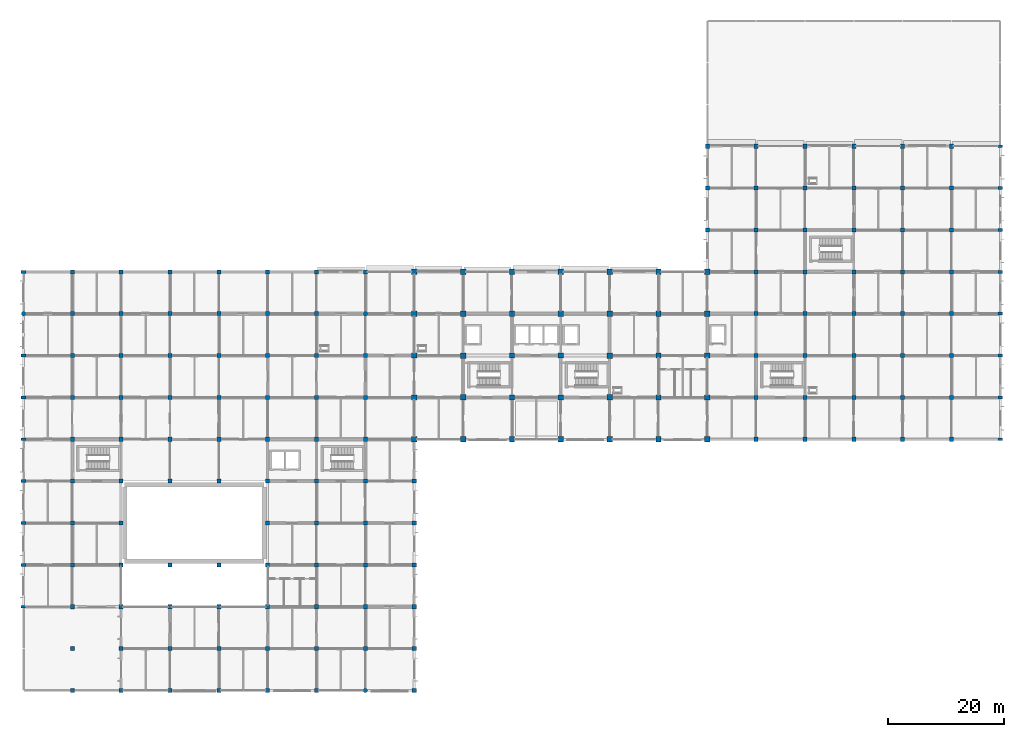
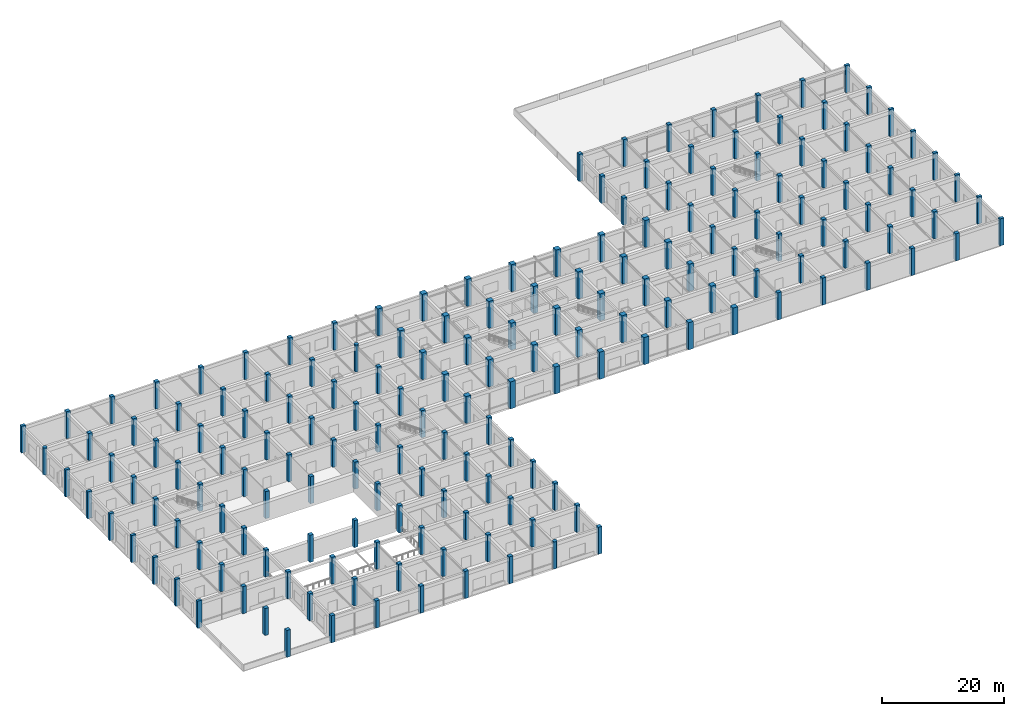
# One storey, part 1 of 41: 176 columns.
"""IFC4 building model written with IfcOpenShell, lengths in metres."""

from ifc_helpers import new_model, si_unit, derived_unit, direction, frame, origin, origin_2d, place, context, subcontext, project, spatial, rectangle, circle, extrude, material, material_profile, profile_set, type_object, element, save


model = new_model("IFC4")

# Units and contexts
model_context = context("Model", 3, precision=1e-05, world=origin(), true_north=direction((0.0, 1.0)))
body_context = subcontext(model_context, "Body", "Model", "MODEL_VIEW")
ifc_project = project(units=[si_unit("LENGTHUNIT", "METRE"), si_unit("AREAUNIT", "SQUARE_METRE"), si_unit("VOLUMEUNIT", "CUBIC_METRE"), si_unit("PLANEANGLEUNIT", "RADIAN"), si_unit("MASSUNIT", "GRAM", prefix="KILO"), derived_unit("THERMALTRANSMITTANCEUNIT", [(si_unit("MASSUNIT", "GRAM", prefix="KILO"), 1), (si_unit("TIMEUNIT", "SECOND"), -3), (si_unit("THERMODYNAMICTEMPERATUREUNIT", "KELVIN"), -1)])], contexts=[model_context])

# Site, building, storey
site_placement = place(None, origin())
site = spatial("IfcSite", under=ifc_project, at=site_placement, CompositionType="ELEMENT")
building_placement = place(site_placement, origin())
building = spatial("IfcBuilding", under=site, at=building_placement, Name="Veldstrom Oceanarium and Marine Research Institute", CompositionType="ELEMENT")
storey_placement = place(building_placement, frame((0.0, 0.0, 6.0)))
storey = spatial("IfcBuildingStorey", under=building, at=storey_placement, Name="L01", CompositionType="ELEMENT", Elevation=6.0)

# Columns
ifc_material_1 = material(Name="Concrete C50/60", Category="concrete")
ifc_material_profile_1 = material_profile(ifc_material_1, rectangle(XDim=0.949951171875, YDim=0.949951171875, at=origin_2d()), Name="RC-COL-950x950")
ifc_profile_set_1 = profile_set([ifc_material_profile_1], Name="Concrete C50/60")
column_type_1 = type_object("IfcColumnType", Name="STR-COL-C01", PredefinedType="COLUMN", material=ifc_profile_set_1)
for number, where, z_axis, x_axis, name in (
    (1, (75.60009765625, 43.199951171875, 0.0), (0.0, 0.0, 1.0), (1.0, 0.0, 0.0), "Column C01 10/G L01"),
    (2, (75.60009765625, 50.39990234375, 0.0), (0.0, 0.0, 1.0), (1.0, 0.0, 0.0), "Column C01 10/H L01"),
    (3, (75.60009765625, 57.60009765625, 0.0), (0.0, 0.0, 1.0), (1.0, 0.0, 0.0), "Column C01 10/J L01"),
    (4, (75.60009765625, 64.800048828125, 0.0), (0.0, 0.0, 1.0), (1.0, 0.0, 0.0), "Column C01 10/K L01"),
    (5, (75.60009765625, 72.0, 0.0), (0.0, 0.0, 1.0), (1.0, 0.0, 0.0), "Column C01 10/L L01"),
    (6, (100.800048828125, 43.199951171875, 0.0), (0.0, 0.0, 1.0), (1.0, 0.0, 0.0), "Column C01 13/G L01"),
    (7, (100.800048828125, 50.39990234375, 0.0), (0.0, 0.0, 1.0), (1.0, 0.0, 0.0), "Column C01 13/H L01"),
    (8, (100.800048828125, 57.60009765625, 0.0), (0.0, 0.0, 1.0), (1.0, 0.0, 0.0), "Column C01 13/J L01"),
    (9, (100.800048828125, 64.800048828125, 0.0), (0.0, 0.0, 1.0), (1.0, 0.0, 0.0), "Column C01 13/K L01"),
    (10, (100.800048828125, 72.0, 0.0), (0.0, 0.0, 1.0), (1.0, 0.0, 0.0), "Column C01 13/L L01"),
):
    element("IfcColumn", number, at=place(storey_placement, frame(where, z_axis=z_axis, x_axis=x_axis)), inside=storey, type_object=column_type_1, Name=name, PredefinedType="COLUMN", context=body_context, shape_type="SweptSolid", body=[
        extrude(rectangle(XDim=0.949951171875, YDim=0.949951171875, at=origin_2d()), origin(), (0.0, 0.0, 1.0), 5.39990234375),
    ])
ifc_material_2 = material(Name="Concrete C50/60", Category="concrete")
ifc_material_profile_2 = material_profile(ifc_material_2, rectangle(XDim=0.89990234375, YDim=0.89990234375, at=origin_2d()), Name="RC-COL-900x900")
ifc_profile_set_2 = profile_set([ifc_material_profile_2], Name="Concrete C50/60")
column_type_2 = type_object("IfcColumnType", Name="STR-COL-C02", PredefinedType="COLUMN", material=ifc_profile_set_2)
for number, where, z_axis, x_axis, name in (
    (11, (67.199951171875, 43.199951171875, 0.0), (0.0, 0.0, 1.0), (1.0, 0.0, 0.0), "Column C02 9/G L01"),
    (12, (67.199951171875, 50.39990234375, 0.0), (0.0, 0.0, 1.0), (1.0, 0.0, 0.0), "Column C02 9/H L01"),
    (13, (67.199951171875, 57.60009765625, 0.0), (0.0, 0.0, 1.0), (1.0, 0.0, 0.0), "Column C02 9/J L01"),
    (14, (67.199951171875, 64.800048828125, 0.0), (0.0, 0.0, 1.0), (1.0, 0.0, 0.0), "Column C02 9/K L01"),
    (15, (67.199951171875, 72.0, 0.0), (0.0, 0.0, 1.0), (1.0, 0.0, 0.0), "Column C02 9/L L01"),
    (16, (84.0, 43.199951171875, 0.0), (0.0, 0.0, 1.0), (1.0, 0.0, 0.0), "Column C02 11/G L01"),
    (17, (84.0, 50.39990234375, 0.0), (0.0, 0.0, 1.0), (1.0, 0.0, 0.0), "Column C02 11/H L01"),
    (18, (84.0, 57.60009765625, 0.0), (0.0, 0.0, 1.0), (1.0, 0.0, 0.0), "Column C02 11/J L01"),
    (19, (84.0, 64.800048828125, 0.0), (0.0, 0.0, 1.0), (1.0, 0.0, 0.0), "Column C02 11/K L01"),
    (20, (84.0, 72.0, 0.0), (0.0, 0.0, 1.0), (1.0, 0.0, 0.0), "Column C02 11/L L01"),
    (21, (92.39990234375, 43.199951171875, 0.0), (0.0, 0.0, 1.0), (1.0, 0.0, 0.0), "Column C02 12/G L01"),
    (22, (92.39990234375, 50.39990234375, 0.0), (0.0, 0.0, 1.0), (1.0, 0.0, 0.0), "Column C02 12/H L01"),
    (23, (92.39990234375, 57.60009765625, 0.0), (0.0, 0.0, 1.0), (1.0, 0.0, 0.0), "Column C02 12/J L01"),
    (24, (92.39990234375, 64.800048828125, 0.0), (0.0, 0.0, 1.0), (1.0, 0.0, 0.0), "Column C02 12/K L01"),
    (25, (92.39990234375, 72.0, 0.0), (0.0, 0.0, 1.0), (1.0, 0.0, 0.0), "Column C02 12/L L01"),
    (26, (109.199951171875, 43.199951171875, 0.0), (0.0, 0.0, 1.0), (1.0, 0.0, 0.0), "Column C02 14/G L01"),
    (27, (109.199951171875, 50.39990234375, 0.0), (0.0, 0.0, 1.0), (1.0, 0.0, 0.0), "Column C02 14/H L01"),
    (28, (109.199951171875, 57.60009765625, 0.0), (0.0, 0.0, 1.0), (1.0, 0.0, 0.0), "Column C02 14/J L01"),
    (29, (109.199951171875, 64.800048828125, 0.0), (0.0, 0.0, 1.0), (1.0, 0.0, 0.0), "Column C02 14/K L01"),
    (30, (109.199951171875, 72.0, 0.0), (0.0, 0.0, 1.0), (1.0, 0.0, 0.0), "Column C02 14/L L01"),
    (31, (117.60009765625, 43.199951171875, 0.0), (0.0, 0.0, 1.0), (1.0, 0.0, 0.0), "Column C02 15/G L01"),
    (32, (117.60009765625, 50.39990234375, 0.0), (0.0, 0.0, 1.0), (1.0, 0.0, 0.0), "Column C02 15/H L01"),
    (33, (117.60009765625, 57.60009765625, 0.0), (0.0, 0.0, 1.0), (1.0, 0.0, 0.0), "Column C02 15/J L01"),
    (34, (117.60009765625, 64.800048828125, 0.0), (0.0, 0.0, 1.0), (1.0, 0.0, 0.0), "Column C02 15/K L01"),
    (35, (117.60009765625, 72.0, 0.0), (0.0, 0.0, 1.0), (1.0, 0.0, 0.0), "Column C02 15/L L01"),
):
    element("IfcColumn", number, at=place(storey_placement, frame(where, z_axis=z_axis, x_axis=x_axis)), inside=storey, type_object=column_type_2, Name=name, PredefinedType="COLUMN", context=body_context, shape_type="SweptSolid", body=[
        extrude(rectangle(XDim=0.89990234375, YDim=0.89990234375, at=origin_2d()), origin(), (0.0, 0.0, 1.0), 5.39990234375),
    ])
ifc_material_3 = material(Name="Concrete C50/60", Category="concrete")
ifc_material_profile_3 = material_profile(ifc_material_3, rectangle(XDim=0.699951171875, YDim=0.699951171875, at=origin_2d()), Name="RC-COL-700x700")
ifc_profile_set_3 = profile_set([ifc_material_profile_3], Name="Concrete C50/60")
column_type_3 = type_object("IfcColumnType", Name="STR-COL-C06", PredefinedType="COLUMN", material=ifc_profile_set_3)
for number, where, z_axis, x_axis, name in (
    (36, (8.39990234375, 0.0, 0.0), (0.0, 0.0, 1.0), (1.0, 0.0, 0.0), "Column C06 2/A L01"),
    (37, (8.39990234375, 7.199951171875, 0.0), (0.0, 0.0, 1.0), (1.0, 0.0, 0.0), "Column C06 2/B L01"),
    (38, (8.39990234375, 14.39990234375, 0.0), (0.0, 0.0, 1.0), (1.0, 0.0, 0.0), "Column C06 2/C L01"),
    (39, (8.39990234375, 21.60009765625, 0.0), (0.0, 0.0, 1.0), (1.0, 0.0, 0.0), "Column C06 2/D L01"),
    (40, (8.39990234375, 28.800048828125, 0.0), (0.0, 0.0, 1.0), (1.0, 0.0, 0.0), "Column C06 2/E L01"),
    (41, (8.39990234375, 36.0, 0.0), (0.0, 0.0, 1.0), (1.0, 0.0, 0.0), "Column C06 2/F L01"),
    (42, (8.39990234375, 43.199951171875, 0.0), (0.0, 0.0, 1.0), (1.0, 0.0, 0.0), "Column C06 2/G L01"),
    (43, (8.39990234375, 50.39990234375, 0.0), (0.0, 0.0, 1.0), (1.0, 0.0, 0.0), "Column C06 2/H L01"),
    (44, (8.39990234375, 57.60009765625, 0.0), (0.0, 0.0, 1.0), (1.0, 0.0, 0.0), "Column C06 2/J L01"),
    (45, (8.39990234375, 64.800048828125, 0.0), (0.0, 0.0, 1.0), (1.0, 0.0, 0.0), "Column C06 2/K L01"),
    (46, (8.39990234375, 72.0, 0.0), (0.0, 0.0, 1.0), (1.0, 0.0, 0.0), "Column C06 2/L L01"),
    (47, (16.800048828125, 0.0, 0.0), (0.0, 0.0, 1.0), (1.0, 0.0, 0.0), "Column C06 3/A L01"),
    (48, (16.800048828125, 7.199951171875, 0.0), (0.0, 0.0, 1.0), (1.0, 0.0, 0.0), "Column C06 3/B L01"),
    (49, (16.800048828125, 14.39990234375, 0.0), (0.0, 0.0, 1.0), (1.0, 0.0, 0.0), "Column C06 3/C L01"),
    (50, (16.800048828125, 21.60009765625, 0.0), (0.0, 0.0, 1.0), (1.0, 0.0, 0.0), "Column C06 3/D L01"),
    (51, (16.800048828125, 28.800048828125, 0.0), (0.0, 0.0, 1.0), (1.0, 0.0, 0.0), "Column C06 3/E L01"),
    (52, (16.800048828125, 36.0, 0.0), (0.0, 0.0, 1.0), (1.0, 0.0, 0.0), "Column C06 3/F L01"),
    (53, (16.800048828125, 43.199951171875, 0.0), (0.0, 0.0, 1.0), (1.0, 0.0, 0.0), "Column C06 3/G L01"),
    (54, (16.800048828125, 50.39990234375, 0.0), (0.0, 0.0, 1.0), (1.0, 0.0, 0.0), "Column C06 3/H L01"),
    (55, (16.800048828125, 57.60009765625, 0.0), (0.0, 0.0, 1.0), (1.0, 0.0, 0.0), "Column C06 3/J L01"),
    (56, (16.800048828125, 64.800048828125, 0.0), (0.0, 0.0, 1.0), (1.0, 0.0, 0.0), "Column C06 3/K L01"),
    (57, (16.800048828125, 72.0, 0.0), (0.0, 0.0, 1.0), (1.0, 0.0, 0.0), "Column C06 3/L L01"),
    (58, (25.199951171875, 0.0, 0.0), (0.0, 0.0, 1.0), (1.0, 0.0, 0.0), "Column C06 4/A L01"),
    (59, (25.199951171875, 7.199951171875, 0.0), (0.0, 0.0, 1.0), (1.0, 0.0, 0.0), "Column C06 4/B L01"),
    (60, (25.199951171875, 14.39990234375, 0.0), (0.0, 0.0, 1.0), (1.0, 0.0, 0.0), "Column C06 4/C L01"),
    (61, (25.199951171875, 21.60009765625, 0.0), (0.0, 0.0, 1.0), (1.0, 0.0, 0.0), "Column C06 4/D L01"),
    (62, (25.199951171875, 36.0, 0.0), (0.0, 0.0, 1.0), (1.0, 0.0, 0.0), "Column C06 4/F L01"),
    (63, (25.199951171875, 43.199951171875, 0.0), (0.0, 0.0, 1.0), (1.0, 0.0, 0.0), "Column C06 4/G L01"),
    (64, (25.199951171875, 50.39990234375, 0.0), (0.0, 0.0, 1.0), (1.0, 0.0, 0.0), "Column C06 4/H L01"),
    (65, (25.199951171875, 57.60009765625, 0.0), (0.0, 0.0, 1.0), (1.0, 0.0, 0.0), "Column C06 4/J L01"),
    (66, (25.199951171875, 64.800048828125, 0.0), (0.0, 0.0, 1.0), (1.0, 0.0, 0.0), "Column C06 4/K L01"),
    (67, (25.199951171875, 72.0, 0.0), (0.0, 0.0, 1.0), (1.0, 0.0, 0.0), "Column C06 4/L L01"),
    (68, (33.60009765625, 0.0, 0.0), (0.0, 0.0, 1.0), (1.0, 0.0, 0.0), "Column C06 5/A L01"),
    (69, (33.60009765625, 7.199951171875, 0.0), (0.0, 0.0, 1.0), (1.0, 0.0, 0.0), "Column C06 5/B L01"),
    (70, (33.60009765625, 14.39990234375, 0.0), (0.0, 0.0, 1.0), (1.0, 0.0, 0.0), "Column C06 5/C L01"),
    (71, (33.60009765625, 21.60009765625, 0.0), (0.0, 0.0, 1.0), (1.0, 0.0, 0.0), "Column C06 5/D L01"),
    (72, (33.60009765625, 36.0, 0.0), (0.0, 0.0, 1.0), (1.0, 0.0, 0.0), "Column C06 5/F L01"),
    (73, (33.60009765625, 43.199951171875, 0.0), (0.0, 0.0, 1.0), (1.0, 0.0, 0.0), "Column C06 5/G L01"),
    (74, (33.60009765625, 50.39990234375, 0.0), (0.0, 0.0, 1.0), (1.0, 0.0, 0.0), "Column C06 5/H L01"),
    (75, (33.60009765625, 57.60009765625, 0.0), (0.0, 0.0, 1.0), (1.0, 0.0, 0.0), "Column C06 5/J L01"),
    (76, (33.60009765625, 64.800048828125, 0.0), (0.0, 0.0, 1.0), (1.0, 0.0, 0.0), "Column C06 5/K L01"),
    (77, (33.60009765625, 72.0, 0.0), (0.0, 0.0, 1.0), (1.0, 0.0, 0.0), "Column C06 5/L L01"),
    (78, (42.0, 0.0, 0.0), (0.0, 0.0, 1.0), (1.0, 0.0, 0.0), "Column C06 6/A L01"),
    (79, (42.0, 7.199951171875, 0.0), (0.0, 0.0, 1.0), (1.0, 0.0, 0.0), "Column C06 6/B L01"),
    (80, (42.0, 14.39990234375, 0.0), (0.0, 0.0, 1.0), (1.0, 0.0, 0.0), "Column C06 6/C L01"),
    (81, (42.0, 21.60009765625, 0.0), (0.0, 0.0, 1.0), (1.0, 0.0, 0.0), "Column C06 6/D L01"),
    (82, (42.0, 28.800048828125, 0.0), (0.0, 0.0, 1.0), (1.0, 0.0, 0.0), "Column C06 6/E L01"),
    (83, (42.0, 36.0, 0.0), (0.0, 0.0, 1.0), (1.0, 0.0, 0.0), "Column C06 6/F L01"),
    (84, (42.0, 43.199951171875, 0.0), (0.0, 0.0, 1.0), (1.0, 0.0, 0.0), "Column C06 6/G L01"),
    (85, (42.0, 50.39990234375, 0.0), (0.0, 0.0, 1.0), (1.0, 0.0, 0.0), "Column C06 6/H L01"),
    (86, (42.0, 57.60009765625, 0.0), (0.0, 0.0, 1.0), (1.0, 0.0, 0.0), "Column C06 6/J L01"),
    (87, (42.0, 64.800048828125, 0.0), (0.0, 0.0, 1.0), (1.0, 0.0, 0.0), "Column C06 6/K L01"),
    (88, (42.0, 72.0, 0.0), (0.0, 0.0, 1.0), (1.0, 0.0, 0.0), "Column C06 6/L L01"),
    (89, (50.39990234375, 0.0, 0.0), (0.0, 0.0, 1.0), (1.0, 0.0, 0.0), "Column C06 7/A L01"),
    (90, (50.39990234375, 7.199951171875, 0.0), (0.0, 0.0, 1.0), (1.0, 0.0, 0.0), "Column C06 7/B L01"),
    (91, (50.39990234375, 14.39990234375, 0.0), (0.0, 0.0, 1.0), (1.0, 0.0, 0.0), "Column C06 7/C L01"),
    (92, (50.39990234375, 21.60009765625, 0.0), (0.0, 0.0, 1.0), (1.0, 0.0, 0.0), "Column C06 7/D L01"),
    (93, (50.39990234375, 28.800048828125, 0.0), (0.0, 0.0, 1.0), (1.0, 0.0, 0.0), "Column C06 7/E L01"),
    (94, (50.39990234375, 36.0, 0.0), (0.0, 0.0, 1.0), (1.0, 0.0, 0.0), "Column C06 7/F L01"),
    (95, (50.39990234375, 43.199951171875, 0.0), (0.0, 0.0, 1.0), (1.0, 0.0, 0.0), "Column C06 7/G L01"),
    (96, (50.39990234375, 50.39990234375, 0.0), (0.0, 0.0, 1.0), (1.0, 0.0, 0.0), "Column C06 7/H L01"),
    (97, (50.39990234375, 57.60009765625, 0.0), (0.0, 0.0, 1.0), (1.0, 0.0, 0.0), "Column C06 7/J L01"),
    (98, (50.39990234375, 64.800048828125, 0.0), (0.0, 0.0, 1.0), (1.0, 0.0, 0.0), "Column C06 7/K L01"),
    (99, (50.39990234375, 72.0, 0.0), (0.0, 0.0, 1.0), (1.0, 0.0, 0.0), "Column C06 7/L L01"),
    (100, (58.800048828125, 7.199951171875, 0.0), (0.0, 0.0, 1.0), (1.0, 0.0, 0.0), "Column C06 8/B L01"),
    (101, (58.800048828125, 14.39990234375, 0.0), (0.0, 0.0, 1.0), (1.0, 0.0, 0.0), "Column C06 8/C L01"),
    (102, (58.800048828125, 21.60009765625, 0.0), (0.0, 0.0, 1.0), (1.0, 0.0, 0.0), "Column C06 8/D L01"),
    (103, (58.800048828125, 28.800048828125, 0.0), (0.0, 0.0, 1.0), (1.0, 0.0, 0.0), "Column C06 8/E L01"),
    (104, (58.800048828125, 36.0, 0.0), (0.0, 0.0, 1.0), (1.0, 0.0, 0.0), "Column C06 8/F L01"),
    (105, (58.800048828125, 43.199951171875, 0.0), (0.0, 0.0, 1.0), (1.0, 0.0, 0.0), "Column C06 8/G L01"),
    (106, (58.800048828125, 50.39990234375, 0.0), (0.0, 0.0, 1.0), (1.0, 0.0, 0.0), "Column C06 8/H L01"),
    (107, (58.800048828125, 57.60009765625, 0.0), (0.0, 0.0, 1.0), (1.0, 0.0, 0.0), "Column C06 8/J L01"),
    (108, (58.800048828125, 72.0, 0.0), (0.0, 0.0, 1.0), (1.0, 0.0, 0.0), "Column C06 8/L L01"),
    (109, (67.199951171875, 0.0, 0.0), (0.0, 0.0, 1.0), (1.0, 0.0, 0.0), "Column C06 9/A L01"),
    (110, (67.199951171875, 7.199951171875, 0.0), (0.0, 0.0, 1.0), (1.0, 0.0, 0.0), "Column C06 9/B L01"),
    (111, (67.199951171875, 14.39990234375, 0.0), (0.0, 0.0, 1.0), (1.0, 0.0, 0.0), "Column C06 9/C L01"),
    (112, (67.199951171875, 21.60009765625, 0.0), (0.0, 0.0, 1.0), (1.0, 0.0, 0.0), "Column C06 9/D L01"),
    (113, (67.199951171875, 28.800048828125, 0.0), (0.0, 0.0, 1.0), (1.0, 0.0, 0.0), "Column C06 9/E L01"),
    (114, (67.199951171875, 36.0, 0.0), (0.0, 0.0, 1.0), (1.0, 0.0, 0.0), "Column C06 9/F L01"),
    (115, (117.60009765625, 79.199951171875, 0.0), (0.0, 0.0, 1.0), (1.0, 0.0, 0.0), "Column C06 15/M L01"),
    (116, (117.60009765625, 86.39990234375, 0.0), (0.0, 0.0, 1.0), (1.0, 0.0, 0.0), "Column C06 15/N L01"),
    (117, (117.60009765625, 93.60009765625, 0.0), (0.0, 0.0, 1.0), (1.0, 0.0, 0.0), "Column C06 15/P L01"),
    (118, (126.0, 43.199951171875, 0.0), (0.0, 0.0, 1.0), (1.0, 0.0, 0.0), "Column C06 16/G L01"),
    (119, (126.0, 50.39990234375, 0.0), (0.0, 0.0, 1.0), (1.0, 0.0, 0.0), "Column C06 16/H L01"),
    (120, (126.0, 57.60009765625, 0.0), (0.0, 0.0, 1.0), (1.0, 0.0, 0.0), "Column C06 16/J L01"),
    (121, (126.0, 64.800048828125, 0.0), (0.0, 0.0, 1.0), (1.0, 0.0, 0.0), "Column C06 16/K L01"),
    (122, (126.0, 72.0, 0.0), (0.0, 0.0, 1.0), (1.0, 0.0, 0.0), "Column C06 16/L L01"),
    (123, (126.0, 79.199951171875, 0.0), (0.0, 0.0, 1.0), (1.0, 0.0, 0.0), "Column C06 16/M L01"),
    (124, (126.0, 86.39990234375, 0.0), (0.0, 0.0, 1.0), (1.0, 0.0, 0.0), "Column C06 16/N L01"),
    (125, (126.0, 93.60009765625, 0.0), (0.0, 0.0, 1.0), (1.0, 0.0, 0.0), "Column C06 16/P L01"),
    (126, (134.39990234375, 43.199951171875, 0.0), (0.0, 0.0, 1.0), (1.0, 0.0, 0.0), "Column C06 17/G L01"),
    (127, (134.39990234375, 50.39990234375, 0.0), (0.0, 0.0, 1.0), (1.0, 0.0, 0.0), "Column C06 17/H L01"),
    (128, (134.39990234375, 57.60009765625, 0.0), (0.0, 0.0, 1.0), (1.0, 0.0, 0.0), "Column C06 17/J L01"),
    (129, (134.39990234375, 64.800048828125, 0.0), (0.0, 0.0, 1.0), (1.0, 0.0, 0.0), "Column C06 17/K L01"),
    (130, (134.39990234375, 72.0, 0.0), (0.0, 0.0, 1.0), (1.0, 0.0, 0.0), "Column C06 17/L L01"),
    (131, (134.39990234375, 79.199951171875, 0.0), (0.0, 0.0, 1.0), (1.0, 0.0, 0.0), "Column C06 17/M L01"),
    (132, (134.39990234375, 86.39990234375, 0.0), (0.0, 0.0, 1.0), (1.0, 0.0, 0.0), "Column C06 17/N L01"),
    (133, (134.39990234375, 93.60009765625, 0.0), (0.0, 0.0, 1.0), (1.0, 0.0, 0.0), "Column C06 17/P L01"),
    (134, (142.800048828125, 43.199951171875, 0.0), (0.0, 0.0, 1.0), (1.0, 0.0, 0.0), "Column C06 18/G L01"),
    (135, (142.800048828125, 50.39990234375, 0.0), (0.0, 0.0, 1.0), (1.0, 0.0, 0.0), "Column C06 18/H L01"),
    (136, (142.800048828125, 57.60009765625, 0.0), (0.0, 0.0, 1.0), (1.0, 0.0, 0.0), "Column C06 18/J L01"),
    (137, (142.800048828125, 64.800048828125, 0.0), (0.0, 0.0, 1.0), (1.0, 0.0, 0.0), "Column C06 18/K L01"),
    (138, (142.800048828125, 72.0, 0.0), (0.0, 0.0, 1.0), (1.0, 0.0, 0.0), "Column C06 18/L L01"),
    (139, (142.800048828125, 79.199951171875, 0.0), (0.0, 0.0, 1.0), (1.0, 0.0, 0.0), "Column C06 18/M L01"),
    (140, (142.800048828125, 86.39990234375, 0.0), (0.0, 0.0, 1.0), (1.0, 0.0, 0.0), "Column C06 18/N L01"),
    (141, (142.800048828125, 93.60009765625, 0.0), (0.0, 0.0, 1.0), (1.0, 0.0, 0.0), "Column C06 18/P L01"),
    (142, (151.199951171875, 43.199951171875, 0.0), (0.0, 0.0, 1.0), (1.0, 0.0, 0.0), "Column C06 19/G L01"),
    (143, (151.199951171875, 50.39990234375, 0.0), (0.0, 0.0, 1.0), (1.0, 0.0, 0.0), "Column C06 19/H L01"),
    (144, (151.199951171875, 57.60009765625, 0.0), (0.0, 0.0, 1.0), (1.0, 0.0, 0.0), "Column C06 19/J L01"),
    (145, (151.199951171875, 64.800048828125, 0.0), (0.0, 0.0, 1.0), (1.0, 0.0, 0.0), "Column C06 19/K L01"),
    (146, (151.199951171875, 72.0, 0.0), (0.0, 0.0, 1.0), (1.0, 0.0, 0.0), "Column C06 19/L L01"),
    (147, (151.199951171875, 79.199951171875, 0.0), (0.0, 0.0, 1.0), (1.0, 0.0, 0.0), "Column C06 19/M L01"),
    (148, (151.199951171875, 86.39990234375, 0.0), (0.0, 0.0, 1.0), (1.0, 0.0, 0.0), "Column C06 19/N L01"),
    (149, (151.199951171875, 93.60009765625, 0.0), (0.0, 0.0, 1.0), (1.0, 0.0, 0.0), "Column C06 19/P L01"),
    (150, (159.60009765625, 43.199951171875, 0.0), (0.0, 0.0, 1.0), (1.0, 0.0, 0.0), "Column C06 20/G L01"),
    (151, (159.60009765625, 50.39990234375, 0.0), (0.0, 0.0, 1.0), (1.0, 0.0, 0.0), "Column C06 20/H L01"),
    (152, (159.60009765625, 57.60009765625, 0.0), (0.0, 0.0, 1.0), (1.0, 0.0, 0.0), "Column C06 20/J L01"),
    (153, (159.60009765625, 64.800048828125, 0.0), (0.0, 0.0, 1.0), (1.0, 0.0, 0.0), "Column C06 20/K L01"),
    (154, (159.60009765625, 72.0, 0.0), (0.0, 0.0, 1.0), (1.0, 0.0, 0.0), "Column C06 20/L L01"),
    (155, (159.60009765625, 79.199951171875, 0.0), (0.0, 0.0, 1.0), (1.0, 0.0, 0.0), "Column C06 20/M L01"),
    (156, (159.60009765625, 86.39990234375, 0.0), (0.0, 0.0, 1.0), (1.0, 0.0, 0.0), "Column C06 20/N L01"),
    (157, (159.60009765625, 93.60009765625, 0.0), (0.0, 0.0, 1.0), (1.0, 0.0, 0.0), "Column C06 20/P L01"),
):
    element("IfcColumn", number, at=place(storey_placement, frame(where, z_axis=z_axis, x_axis=x_axis)), inside=storey, type_object=column_type_3, Name=name, PredefinedType="COLUMN", context=body_context, shape_type="SweptSolid", body=[
        extrude(rectangle(XDim=0.699951171875, YDim=0.699951171875, at=origin_2d()), origin(), (0.0, 0.0, 1.0), 5.39990234375),
    ])
ifc_material_4 = material(Name="Concrete C50/60", Category="concrete")
ifc_material_profile_4 = material_profile(ifc_material_4, rectangle(XDim=0.5, YDim=0.800048828125, at=origin_2d()), Name="RC-COL-800x500")
ifc_profile_set_4 = profile_set([ifc_material_profile_4], Name="Concrete C50/60")
column_type_4 = type_object("IfcColumnType", Name="STR-COL-C12", PredefinedType="COLUMN", material=ifc_profile_set_4)
for number, where, z_axis, x_axis, name in (
    (158, (0.0, 14.39990234375, 0.0), (0.0, 0.0, 1.0), (0.0, 1.0, 0.0), "Column C12 1/C L01"),
    (159, (0.0, 21.60009765625, 0.0), (0.0, 0.0, 1.0), (0.0, 1.0, 0.0), "Column C12 1/D L01"),
    (160, (0.0, 28.800048828125, 0.0), (0.0, 0.0, 1.0), (0.0, 1.0, 0.0), "Column C12 1/E L01"),
    (161, (0.0, 36.0, 0.0), (0.0, 0.0, 1.0), (0.0, 1.0, 0.0), "Column C12 1/F L01"),
    (162, (0.0, 43.199951171875, 0.0), (0.0, 0.0, 1.0), (0.0, 1.0, 0.0), "Column C12 1/G L01"),
    (163, (0.0, 50.39990234375, 0.0), (0.0, 0.0, 1.0), (0.0, 1.0, 0.0), "Column C12 1/H L01"),
    (164, (0.0, 57.60009765625, 0.0), (0.0, 0.0, 1.0), (0.0, 1.0, 0.0), "Column C12 1/J L01"),
    (165, (0.0, 72.0, 0.0), (0.0, 0.0, 1.0), (0.0, 1.0, 0.0), "Column C12 1/L L01"),
    (166, (168.0, 43.199951171875, 0.0), (0.0, 0.0, 1.0), (0.0, 1.0, 0.0), "Column C12 21/G L01"),
    (167, (168.0, 50.39990234375, 0.0), (0.0, 0.0, 1.0), (0.0, 1.0, 0.0), "Column C12 21/H L01"),
    (168, (168.0, 57.60009765625, 0.0), (0.0, 0.0, 1.0), (0.0, 1.0, 0.0), "Column C12 21/J L01"),
    (169, (168.0, 64.800048828125, 0.0), (0.0, 0.0, 1.0), (0.0, 1.0, 0.0), "Column C12 21/K L01"),
    (170, (168.0, 72.0, 0.0), (0.0, 0.0, 1.0), (0.0, 1.0, 0.0), "Column C12 21/L L01"),
    (171, (168.0, 79.199951171875, 0.0), (0.0, 0.0, 1.0), (0.0, 1.0, 0.0), "Column C12 21/M L01"),
    (172, (168.0, 86.39990234375, 0.0), (0.0, 0.0, 1.0), (0.0, 1.0, 0.0), "Column C12 21/N L01"),
    (173, (168.0, 93.60009765625, 0.0), (0.0, 0.0, 1.0), (0.0, 1.0, 0.0), "Column C12 21/P L01"),
):
    element("IfcColumn", number, at=place(storey_placement, frame(where, z_axis=z_axis, x_axis=x_axis)), inside=storey, type_object=column_type_4, Name=name, PredefinedType="COLUMN", context=body_context, shape_type="SweptSolid", body=[
        extrude(rectangle(XDim=0.5, YDim=0.800048828125, at=origin_2d()), origin(), (0.0, 0.0, 1.0), 5.39990234375),
    ])
ifc_material_5 = material(Name="Concrete C50/60", Category="concrete")
ifc_material_profile_5 = material_profile(ifc_material_5, circle(Radius=0.375, at=origin_2d()), Name="RC-COL-D750")
ifc_profile_set_5 = profile_set([ifc_material_profile_5], Name="Concrete C50/60")
column_type_5 = type_object("IfcColumnType", Name="STR-COL-C14", PredefinedType="COLUMN", material=ifc_profile_set_5)
for number, where, z_axis, x_axis, name in (
    (174, (0.0, 64.800048828125, 0.0), (0.0, 0.0, 1.0), (1.0, 0.0, 0.0), "Column C14 1/K L01"),
    (175, (58.800048828125, 0.0, 0.0), (0.0, 0.0, 1.0), (1.0, 0.0, 0.0), "Column C14 8/A L01"),
    (176, (58.800048828125, 64.800048828125, 0.0), (0.0, 0.0, 1.0), (1.0, 0.0, 0.0), "Column C14 8/K L01"),
):
    element("IfcColumn", number, at=place(storey_placement, frame(where, z_axis=z_axis, x_axis=x_axis)), inside=storey, type_object=column_type_5, Name=name, PredefinedType="COLUMN", context=body_context, shape_type="SweptSolid", body=[
        extrude(circle(Radius=0.375, at=origin_2d()), origin(), (0.0, 0.0, 1.0), 5.39990234375),
    ])

save(model, "model.ifc")
